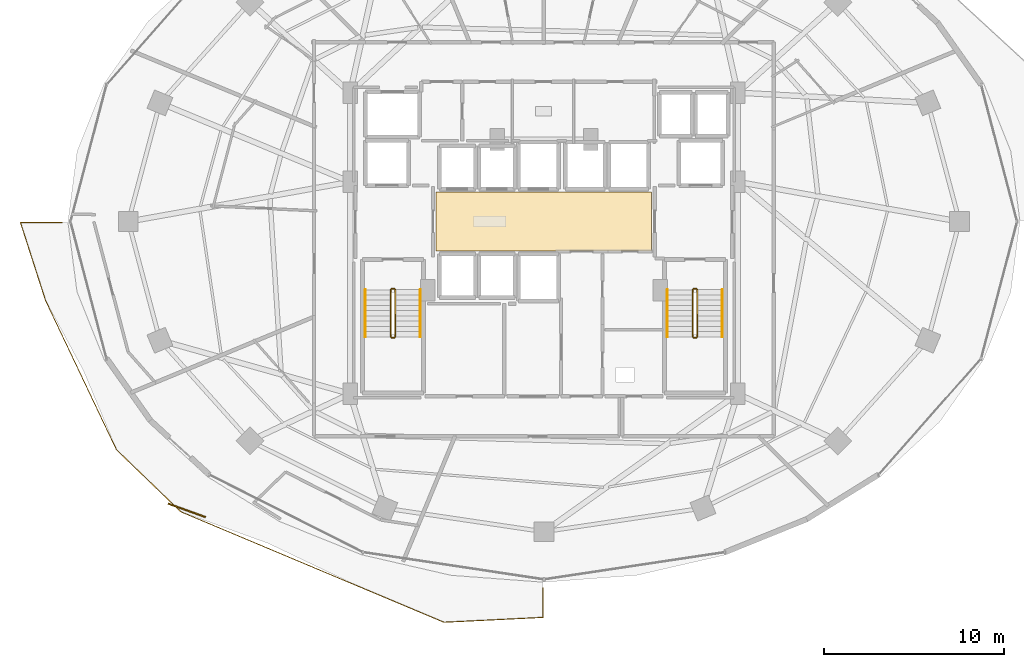
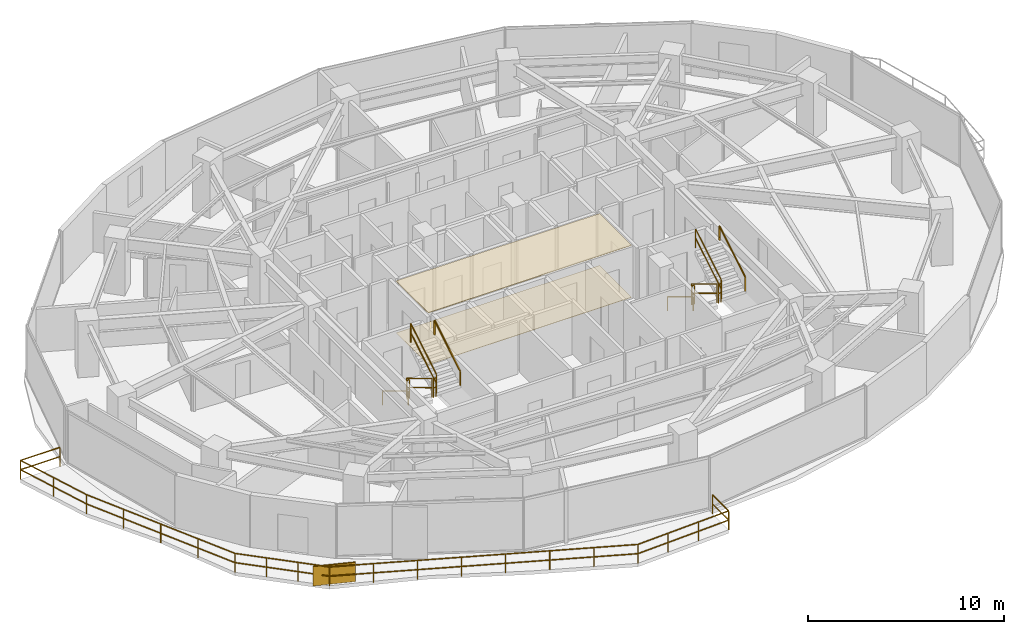
# One storey, part 28 of 30: 14 railings, 2 coverings, 1 shading device.
"""IFC4 building model written with IfcOpenShell, lengths in metres."""

from ifc_helpers import new_model, si_unit, direction, frame, origin, origin_2d, place, context, subcontext, project, spatial, polyline, rectangle, outline, extrude, material, layer, layer_set, type_object, element, save


model = new_model("IFC4")

# Units and contexts
model_context = context("Model", 3, precision=1e-05, world=origin(), true_north=direction((0.0, 1.0)))
body_context = subcontext(model_context, "Body", "Model", "MODEL_VIEW")
ifc_project = project(units=[si_unit("LENGTHUNIT", "METRE"), si_unit("AREAUNIT", "SQUARE_METRE"), si_unit("VOLUMEUNIT", "CUBIC_METRE"), si_unit("PLANEANGLEUNIT", "RADIAN"), si_unit("MASSUNIT", "GRAM", prefix="KILO")], contexts=[model_context])

# Site, building, storey
site_placement = place(None, origin())
site = spatial("IfcSite", under=ifc_project, at=site_placement, CompositionType="ELEMENT")
building_placement = place(site_placement, origin())
building = spatial("IfcBuilding", under=site, at=building_placement, Name="Vorneva Point Tower", CompositionType="ELEMENT")
storey_placement = place(building_placement, frame((0.0, 0.0, 106.800048828125)))
storey = spatial("IfcBuildingStorey", under=building, at=storey_placement, Name="L28", CompositionType="ELEMENT", Elevation=106.800048828125)

# Coverings
ifc_material_1 = material(Name="Perforated acoustic aluminium baffle ceiling", Category="aluminium")
ifc_layer_1 = layer(ifc_material_1, 0.030029296875)
ifc_layer_set_1 = layer_set([ifc_layer_1], Name="Perforated acoustic aluminium baffle ceiling")
covering_type_1 = type_object("IfcCoveringType", Name="COV-CEIL-BAF", PredefinedType="CEILING", material=ifc_layer_set_1)
covering_1_placement = place(storey_placement, frame((0.0, 0.0, 3.2099609375)))
element("IfcCovering", 1, at=covering_1_placement, inside=storey, type_object=covering_type_1, Name="L28 Lift Lobby Acoustic Baffle Ceiling", PredefinedType="CEILING", context=body_context, shape_type="SweptSolid", body=[
    extrude(outline(polyline([(32.02001953125, 24.3701171875), (43.97998046875, 24.3701171875), (43.97998046875, 27.6298828125), (32.02001953125, 27.6298828125), (32.02001953125, 24.3701171875)])), origin(), (0.0, 0.0, 1.0), 0.034912109375),
])
ifc_material_2 = material(Name="Acoustic wool hospitality carpet", Category="textile")
ifc_layer_2 = layer(ifc_material_2, 0.01806640625)
ifc_layer_set_2 = layer_set([ifc_layer_2], Name="Acoustic wool hospitality carpet")
covering_type_2 = type_object("IfcCoveringType", Name="COV-FLR-CRP", PredefinedType="FLOORING", material=ifc_layer_set_2)
covering_2_placement = place(storey_placement, frame((0.0, 0.0, -0.005126953125)))
element("IfcCovering", 2, at=covering_2_placement, inside=storey, type_object=covering_type_2, Name="L28 Lift Lobby Floor Finish", PredefinedType="FLOORING", context=body_context, shape_type="SweptSolid", body=[
    extrude(outline(polyline([(32.02001953125, 24.3701171875), (43.97998046875, 24.3701171875), (43.97998046875, 27.6298828125), (32.02001953125, 27.6298828125), (32.02001953125, 24.3701171875)])), origin(), (0.0, 0.0, 1.0), 0.023193359375),
])

# Railings
ifc_material_3 = material(Name="Pale anodised aluminium", Category="aluminium")
railing_type_1 = type_object("IfcRailingType", Name="RL-BAL-1200", PredefinedType="BALUSTRADE", material=ifc_material_3)
railing_1_placement = place(storey_placement, frame((37.949951171875, 4.047607421875, 0.0)))
element("IfcRailing", 3, at=railing_1_placement, inside=storey, type_object=railing_type_1, Name="L28 Wave Balcony Balustrade SW.1", PredefinedType="BALUSTRADE", context=body_context, shape_type="SweptSolid", body=[
    extrude(rectangle(XDim=0.048095703125, YDim=0.048095703125, at=origin_2d()), frame((0.0, 0.0, 1.17578125), z_axis=(0.0, 1.0, 0.0), x_axis=(-1.0, 0.0, 0.0)), (0.0, 0.0, 1.0), 1.63525390625),
    extrude(rectangle(XDim=0.048095703125, YDim=0.048095703125, at=origin_2d()), frame((0.0, 0.0, 0.60009765625), z_axis=(0.0, 1.0, 0.0), x_axis=(-1.0, 0.0, 0.0)), (0.0, 0.0, 1.0), 1.63525390625),
    extrude(rectangle(XDim=0.0419921875, YDim=0.0419921875, at=origin_2d()), origin(), (0.0, 0.0, 1.0), 1.15185546875),
    extrude(rectangle(XDim=0.0419921875, YDim=0.0419921875, at=origin_2d()), frame((0.0, 1.63525390625, 0.0)), (0.0, 0.0, 1.0), 1.15185546875),
])
railing_2_placement = place(storey_placement, frame((11.28369140625, 25.949951171875, 0.0)))
element("IfcRailing", 4, at=railing_2_placement, inside=storey, type_object=railing_type_1, Name="L28 Wave Balcony Balustrade SW.2", PredefinedType="BALUSTRADE", context=body_context, shape_type="SweptSolid", body=[
    extrude(rectangle(XDim=0.048095703125, YDim=0.048095703125, at=origin_2d()), frame((0.0, 0.0, 1.17578125), z_axis=(-1.0, 0.0, 0.0), x_axis=(0.0, -1.0, 0.0)), (0.0, 0.0, 1.0), 2.317626953125),
    extrude(rectangle(XDim=0.048095703125, YDim=0.048095703125, at=origin_2d()), frame((0.0, 0.0, 0.60009765625), z_axis=(-1.0, 0.0, 0.0), x_axis=(0.0, -1.0, 0.0)), (0.0, 0.0, 1.0), 2.317626953125),
    extrude(rectangle(XDim=0.048095703125, YDim=0.048095703125, at=origin_2d()), frame((-2.317626953125, 0.0, 1.17578125), z_axis=(0.306234224513, -0.951956196333, 0.0), x_axis=(0.951956196333, 0.306234224513, 0.0)), (0.0, 0.0, 1.0), 4.52978515625),
    extrude(rectangle(XDim=0.048095703125, YDim=0.048095703125, at=origin_2d()), frame((-2.317626953125, 0.0, 0.60009765625), z_axis=(0.306234224513, -0.951956196333, 0.0), x_axis=(0.951956196333, 0.306234224513, 0.0)), (0.0, 0.0, 1.0), 4.52978515625),
    extrude(rectangle(XDim=0.048095703125, YDim=0.048095703125, at=origin_2d()), frame((-0.930419921875, -4.312255859375, 1.17578125), z_axis=(0.429165789388, -0.903225733258, 0.0), x_axis=(0.903225733258, 0.429165789388, 0.0)), (0.0, 0.0, 1.0), 9.18505859375),
    extrude(rectangle(XDim=0.048095703125, YDim=0.048095703125, at=origin_2d()), frame((-0.930419921875, -4.312255859375, 0.60009765625), z_axis=(0.429165789388, -0.903225733258, 0.0), x_axis=(0.903225733258, 0.429165789388, 0.0)), (0.0, 0.0, 1.0), 9.18505859375),
    extrude(rectangle(XDim=0.048095703125, YDim=0.048095703125, at=origin_2d()), frame((3.011474609375, -12.6083984375, 1.17578125), z_axis=(0.719945589265, -0.694030509775, 0.0), x_axis=(0.694030509775, 0.719945589265, 0.0)), (0.0, 0.0, 1.0), 4.94580078125),
    extrude(rectangle(XDim=0.048095703125, YDim=0.048095703125, at=origin_2d()), frame((3.011474609375, -12.6083984375, 0.60009765625), z_axis=(0.719945589265, -0.694030509775, 0.0), x_axis=(0.694030509775, 0.719945589265, 0.0)), (0.0, 0.0, 1.0), 4.94580078125),
    extrude(rectangle(XDim=0.048095703125, YDim=0.048095703125, at=origin_2d()), frame((6.572265625, -16.041015625, 1.17578125), z_axis=(0.921993663764, -0.387204963784, 0.0), x_axis=(0.387204963784, 0.921993663764, 0.0)), (0.0, 0.0, 1.0), 15.836181640625),
    extrude(rectangle(XDim=0.048095703125, YDim=0.048095703125, at=origin_2d()), frame((6.572265625, -16.041015625, 0.60009765625), z_axis=(0.921993663764, -0.387204963784, 0.0), x_axis=(0.387204963784, 0.921993663764, 0.0)), (0.0, 0.0, 1.0), 15.836181640625),
    extrude(rectangle(XDim=0.048095703125, YDim=0.048095703125, at=origin_2d()), frame((21.173095703125, -22.1728515625, 1.17578125), z_axis=(0.998789693161, 0.049184843557, 0.0), x_axis=(-0.049184843557, 0.998789693161, 0.0)), (0.0, 0.0, 1.0), 5.499755859375),
    extrude(rectangle(XDim=0.048095703125, YDim=0.048095703125, at=origin_2d()), frame((21.173095703125, -22.1728515625, 0.60009765625), z_axis=(0.998789693161, 0.049184843557, 0.0), x_axis=(-0.049184843557, 0.998789693161, 0.0)), (0.0, 0.0, 1.0), 5.499755859375),
    extrude(rectangle(XDim=0.0419921875, YDim=0.0419921875, at=origin_2d()), origin(), (0.0, 0.0, 1.0), 1.15185546875),
    extrude(rectangle(XDim=0.0419921875, YDim=0.0419921875, at=origin_2d()), frame((-2.317626953125, 0.0, 0.0)), (0.0, 0.0, 1.0), 1.15185546875),
    extrude(rectangle(XDim=0.0419921875, YDim=0.0419921875, at=origin_2d()), frame((-1.6240234375, -2.15625, 0.0)), (0.0, 0.0, 1.0), 1.15185546875),
    extrude(rectangle(XDim=0.0419921875, YDim=0.0419921875, at=origin_2d()), frame((-0.930419921875, -4.312255859375, 0.0)), (0.0, 0.0, 1.0), 1.15185546875),
    extrude(rectangle(XDim=0.0419921875, YDim=0.0419921875, at=origin_2d()), frame((0.05517578125, -6.38623046875, 0.0)), (0.0, 0.0, 1.0), 1.15185546875),
    extrude(rectangle(XDim=0.0419921875, YDim=0.0419921875, at=origin_2d()), frame((1.04052734375, -8.46044921875, 0.0)), (0.0, 0.0, 1.0), 1.15185546875),
    extrude(rectangle(XDim=0.0419921875, YDim=0.0419921875, at=origin_2d()), frame((2.02587890625, -10.534423828125, 0.0)), (0.0, 0.0, 1.0), 1.15185546875),
    extrude(rectangle(XDim=0.0419921875, YDim=0.0419921875, at=origin_2d()), frame((3.011474609375, -12.6083984375, 0.0)), (0.0, 0.0, 1.0), 1.15185546875),
    extrude(rectangle(XDim=0.0419921875, YDim=0.0419921875, at=origin_2d()), frame((4.198486328125, -13.752685546875, 0.0)), (0.0, 0.0, 1.0), 1.15185546875),
    extrude(rectangle(XDim=0.0419921875, YDim=0.0419921875, at=origin_2d()), frame((5.38525390625, -14.896728515625, 0.0)), (0.0, 0.0, 1.0), 1.15185546875),
    extrude(rectangle(XDim=0.0419921875, YDim=0.0419921875, at=origin_2d()), frame((6.572265625, -16.041015625, 0.0)), (0.0, 0.0, 1.0), 1.15185546875),
    extrude(rectangle(XDim=0.0419921875, YDim=0.0419921875, at=origin_2d()), frame((8.658203125, -16.9169921875, 0.0)), (0.0, 0.0, 1.0), 1.15185546875),
    extrude(rectangle(XDim=0.0419921875, YDim=0.0419921875, at=origin_2d()), frame((10.743896484375, -17.79296875, 0.0)), (0.0, 0.0, 1.0), 1.15185546875),
    extrude(rectangle(XDim=0.0419921875, YDim=0.0419921875, at=origin_2d()), frame((12.829833984375, -18.6689453125, 0.0)), (0.0, 0.0, 1.0), 1.15185546875),
    extrude(rectangle(XDim=0.0419921875, YDim=0.0419921875, at=origin_2d()), frame((14.91552734375, -19.544921875, 0.0)), (0.0, 0.0, 1.0), 1.15185546875),
    extrude(rectangle(XDim=0.0419921875, YDim=0.0419921875, at=origin_2d()), frame((17.00146484375, -20.4208984375, 0.0)), (0.0, 0.0, 1.0), 1.15185546875),
    extrude(rectangle(XDim=0.0419921875, YDim=0.0419921875, at=origin_2d()), frame((19.087158203125, -21.296875, 0.0)), (0.0, 0.0, 1.0), 1.15185546875),
    extrude(rectangle(XDim=0.0419921875, YDim=0.0419921875, at=origin_2d()), frame((21.173095703125, -22.1728515625, 0.0)), (0.0, 0.0, 1.0), 1.15185546875),
    extrude(rectangle(XDim=0.0419921875, YDim=0.0419921875, at=origin_2d()), frame((23.004150390625, -22.082763671875, 0.0)), (0.0, 0.0, 1.0), 1.15185546875),
    extrude(rectangle(XDim=0.0419921875, YDim=0.0419921875, at=origin_2d()), frame((24.835205078125, -21.992431640625, 0.0)), (0.0, 0.0, 1.0), 1.15185546875),
    extrude(rectangle(XDim=0.0419921875, YDim=0.0419921875, at=origin_2d()), frame((26.666259765625, -21.90234375, 0.0)), (0.0, 0.0, 1.0), 1.15185546875),
])
ifc_material_4 = material(Name="Brushed stainless steel S304", Category="steel")
railing_type_2 = type_object("IfcRailingType", Name="RL-HND-920", PredefinedType="HANDRAIL", material=ifc_material_4)
railing_3_placement = place(storey_placement, frame((28.10009765625, 22.219970703125, 0.175048828125)))
element("IfcRailing", 5, at=railing_3_placement, inside=storey, type_object=railing_type_2, Name="L28 ST1 stair handrail 1", PredefinedType="HANDRAIL", context=body_context, shape_type="SweptSolid", body=[
    extrude(rectangle(XDim=0.048095703125, YDim=0.048095703125, at=origin_2d()), frame((0.0, 0.0, 0.8759765625), z_axis=(0.0, -0.85618277418, 0.516673066065), x_axis=(1.0, 0.0, 0.0)), (0.0, 0.0, 1.0), 3.04833984375),
    extrude(rectangle(XDim=0.0419921875, YDim=0.0419921875, at=origin_2d()), origin(), (0.0, 0.0, 1.0), 0.851806640625),
    extrude(rectangle(XDim=0.0419921875, YDim=0.0419921875, at=origin_2d()), frame((0.0, -2.60986328125, 1.574951171875)), (0.0, 0.0, 1.0), 0.851806640625),
])
railing_4_placement = place(storey_placement, frame((31.14990234375, 19.610107421875, 1.925048828125)))
element("IfcRailing", 6, at=railing_4_placement, inside=storey, type_object=railing_type_2, Name="L28 ST1 stair handrail 2", PredefinedType="HANDRAIL", context=body_context, shape_type="SweptSolid", body=[
    extrude(rectangle(XDim=0.048095703125, YDim=0.048095703125, at=origin_2d()), frame((0.0, 0.0, 0.8759765625), z_axis=(0.0, 0.85618277418, 0.516673066065), x_axis=(-1.0, 0.0, 0.0)), (0.0, 0.0, 1.0), 3.04833984375),
    extrude(rectangle(XDim=0.0419921875, YDim=0.0419921875, at=origin_2d()), origin(), (0.0, 0.0, 1.0), 0.851806640625),
    extrude(rectangle(XDim=0.0419921875, YDim=0.0419921875, at=origin_2d()), frame((0.0, 2.60986328125, 1.574951171875)), (0.0, 0.0, 1.0), 0.851806640625),
])
railing_5_placement = place(storey_placement, frame((44.85009765625, 22.219970703125, 0.175048828125)))
element("IfcRailing", 7, at=railing_5_placement, inside=storey, type_object=railing_type_2, Name="L28 ST2 stair handrail 1", PredefinedType="HANDRAIL", context=body_context, shape_type="SweptSolid", body=[
    extrude(rectangle(XDim=0.048095703125, YDim=0.048095703125, at=origin_2d()), frame((0.0, 0.0, 0.8759765625), z_axis=(0.0, -0.85618277418, 0.516673066065), x_axis=(1.0, 0.0, 0.0)), (0.0, 0.0, 1.0), 3.04833984375),
    extrude(rectangle(XDim=0.0419921875, YDim=0.0419921875, at=origin_2d()), origin(), (0.0, 0.0, 1.0), 0.851806640625),
    extrude(rectangle(XDim=0.0419921875, YDim=0.0419921875, at=origin_2d()), frame((0.0, -2.60986328125, 1.574951171875)), (0.0, 0.0, 1.0), 0.851806640625),
])
railing_6_placement = place(storey_placement, frame((47.89990234375, 19.610107421875, 1.925048828125)))
element("IfcRailing", 8, at=railing_6_placement, inside=storey, type_object=railing_type_2, Name="L28 ST2 stair handrail 2", PredefinedType="HANDRAIL", context=body_context, shape_type="SweptSolid", body=[
    extrude(rectangle(XDim=0.048095703125, YDim=0.048095703125, at=origin_2d()), frame((0.0, 0.0, 0.8759765625), z_axis=(0.0, 0.85618277418, 0.516673066065), x_axis=(-1.0, 0.0, 0.0)), (0.0, 0.0, 1.0), 3.04833984375),
    extrude(rectangle(XDim=0.0419921875, YDim=0.0419921875, at=origin_2d()), origin(), (0.0, 0.0, 1.0), 0.851806640625),
    extrude(rectangle(XDim=0.0419921875, YDim=0.0419921875, at=origin_2d()), frame((0.0, 2.60986328125, 1.574951171875)), (0.0, 0.0, 1.0), 0.851806640625),
])
railing_type_3 = type_object("IfcRailingType", Name="RL-STG-1100", PredefinedType="GUARDRAIL", material=ifc_material_4)
railing_7_placement = place(storey_placement, frame((29.5, 22.219970703125, 0.175048828125)))
element("IfcRailing", 9, at=railing_7_placement, inside=storey, type_object=railing_type_3, Name="L28 ST1 stair guard 1", PredefinedType="GUARDRAIL", context=body_context, shape_type="SweptSolid", body=[
    extrude(rectangle(XDim=0.048095703125, YDim=0.048095703125, at=origin_2d()), frame((0.0, 0.0, 1.17578125), z_axis=(0.0, -0.85618277418, 0.516673066065), x_axis=(1.0, 0.0, 0.0)), (0.0, 0.0, 1.0), 3.04833984375),
    extrude(rectangle(XDim=0.048095703125, YDim=0.048095703125, at=origin_2d()), frame((0.0, 0.0, 0.60009765625), z_axis=(0.0, -0.85618277418, 0.516673066065), x_axis=(1.0, 0.0, 0.0)), (0.0, 0.0, 1.0), 3.04833984375),
    extrude(rectangle(XDim=0.0419921875, YDim=0.0419921875, at=origin_2d()), origin(), (0.0, 0.0, 1.0), 1.15185546875),
    extrude(rectangle(XDim=0.0419921875, YDim=0.0419921875, at=origin_2d()), frame((0.0, -2.60986328125, 1.574951171875)), (0.0, 0.0, 1.0), 1.15185546875),
])
railing_8_placement = place(storey_placement, frame((29.550048828125, 19.56005859375, 1.75)))
element("IfcRailing", 10, at=railing_8_placement, inside=storey, type_object=railing_type_3, Name="L28 ST1 stair guard 2", PredefinedType="GUARDRAIL", context=body_context, shape_type="SweptSolid", body=[
    extrude(rectangle(XDim=0.048095703125, YDim=0.048095703125, at=origin_2d()), frame((0.0, 0.0, 1.17578125), z_axis=(1.0, 0.0, 0.0), x_axis=(0.0, 1.0, 0.0)), (0.0, 0.0, 1.0), 0.14990234375),
    extrude(rectangle(XDim=0.048095703125, YDim=0.048095703125, at=origin_2d()), frame((0.0, 0.0, 0.60009765625), z_axis=(1.0, 0.0, 0.0), x_axis=(0.0, 1.0, 0.0)), (0.0, 0.0, 1.0), 0.14990234375),
    extrude(rectangle(XDim=0.0419921875, YDim=0.0419921875, at=origin_2d()), origin(), (0.0, 0.0, 1.0), 1.15185546875),
    extrude(rectangle(XDim=0.0419921875, YDim=0.0419921875, at=origin_2d()), frame((0.14990234375, 0.0, 0.0)), (0.0, 0.0, 1.0), 1.15185546875),
])
railing_9_placement = place(storey_placement, frame((29.75, 19.610107421875, 1.925048828125)))
element("IfcRailing", 11, at=railing_9_placement, inside=storey, type_object=railing_type_3, Name="L28 ST1 stair guard 3", PredefinedType="GUARDRAIL", context=body_context, shape_type="SweptSolid", body=[
    extrude(rectangle(XDim=0.048095703125, YDim=0.048095703125, at=origin_2d()), frame((0.0, 0.0, 1.17578125), z_axis=(0.0, 0.85618277418, 0.516673066065), x_axis=(-1.0, 0.0, 0.0)), (0.0, 0.0, 1.0), 3.04833984375),
    extrude(rectangle(XDim=0.048095703125, YDim=0.048095703125, at=origin_2d()), frame((0.0, 0.0, 0.60009765625), z_axis=(0.0, 0.85618277418, 0.516673066065), x_axis=(-1.0, 0.0, 0.0)), (0.0, 0.0, 1.0), 3.04833984375),
    extrude(rectangle(XDim=0.0419921875, YDim=0.0419921875, at=origin_2d()), origin(), (0.0, 0.0, 1.0), 1.15185546875),
    extrude(rectangle(XDim=0.0419921875, YDim=0.0419921875, at=origin_2d()), frame((0.0, 2.60986328125, 1.574951171875)), (0.0, 0.0, 1.0), 1.15185546875),
])
railing_10_placement = place(storey_placement, frame((29.550048828125, 22.27001953125, 0.0)))
element("IfcRailing", 12, at=railing_10_placement, inside=storey, type_object=railing_type_3, Name="L28 ST1 stair guard 4", PredefinedType="GUARDRAIL", context=body_context, shape_type="SweptSolid", body=[
    extrude(rectangle(XDim=0.048095703125, YDim=0.048095703125, at=origin_2d()), frame((0.0, 0.0, 1.17578125), z_axis=(1.0, 0.0, 0.0), x_axis=(0.0, 1.0, 0.0)), (0.0, 0.0, 1.0), 0.14990234375),
    extrude(rectangle(XDim=0.048095703125, YDim=0.048095703125, at=origin_2d()), frame((0.0, 0.0, 0.60009765625), z_axis=(1.0, 0.0, 0.0), x_axis=(0.0, 1.0, 0.0)), (0.0, 0.0, 1.0), 0.14990234375),
    extrude(rectangle(XDim=0.0419921875, YDim=0.0419921875, at=origin_2d()), origin(), (0.0, 0.0, 1.0), 1.15185546875),
    extrude(rectangle(XDim=0.0419921875, YDim=0.0419921875, at=origin_2d()), frame((0.14990234375, 0.0, 0.0)), (0.0, 0.0, 1.0), 1.15185546875),
])
railing_11_placement = place(storey_placement, frame((46.25, 22.219970703125, 0.175048828125)))
element("IfcRailing", 13, at=railing_11_placement, inside=storey, type_object=railing_type_3, Name="L28 ST2 stair guard 1", PredefinedType="GUARDRAIL", context=body_context, shape_type="SweptSolid", body=[
    extrude(rectangle(XDim=0.048095703125, YDim=0.048095703125, at=origin_2d()), frame((0.0, 0.0, 1.17578125), z_axis=(0.0, -0.85618277418, 0.516673066065), x_axis=(1.0, 0.0, 0.0)), (0.0, 0.0, 1.0), 3.04833984375),
    extrude(rectangle(XDim=0.048095703125, YDim=0.048095703125, at=origin_2d()), frame((0.0, 0.0, 0.60009765625), z_axis=(0.0, -0.85618277418, 0.516673066065), x_axis=(1.0, 0.0, 0.0)), (0.0, 0.0, 1.0), 3.04833984375),
    extrude(rectangle(XDim=0.0419921875, YDim=0.0419921875, at=origin_2d()), origin(), (0.0, 0.0, 1.0), 1.15185546875),
    extrude(rectangle(XDim=0.0419921875, YDim=0.0419921875, at=origin_2d()), frame((0.0, -2.60986328125, 1.574951171875)), (0.0, 0.0, 1.0), 1.15185546875),
])
railing_12_placement = place(storey_placement, frame((46.300048828125, 19.56005859375, 1.75)))
element("IfcRailing", 14, at=railing_12_placement, inside=storey, type_object=railing_type_3, Name="L28 ST2 stair guard 2", PredefinedType="GUARDRAIL", context=body_context, shape_type="SweptSolid", body=[
    extrude(rectangle(XDim=0.048095703125, YDim=0.048095703125, at=origin_2d()), frame((0.0, 0.0, 1.17578125), z_axis=(1.0, 0.0, 0.0), x_axis=(0.0, 1.0, 0.0)), (0.0, 0.0, 1.0), 0.14990234375),
    extrude(rectangle(XDim=0.048095703125, YDim=0.048095703125, at=origin_2d()), frame((0.0, 0.0, 0.60009765625), z_axis=(1.0, 0.0, 0.0), x_axis=(0.0, 1.0, 0.0)), (0.0, 0.0, 1.0), 0.14990234375),
    extrude(rectangle(XDim=0.0419921875, YDim=0.0419921875, at=origin_2d()), origin(), (0.0, 0.0, 1.0), 1.15185546875),
    extrude(rectangle(XDim=0.0419921875, YDim=0.0419921875, at=origin_2d()), frame((0.14990234375, 0.0, 0.0)), (0.0, 0.0, 1.0), 1.15185546875),
])
railing_13_placement = place(storey_placement, frame((46.5, 19.610107421875, 1.925048828125)))
element("IfcRailing", 15, at=railing_13_placement, inside=storey, type_object=railing_type_3, Name="L28 ST2 stair guard 3", PredefinedType="GUARDRAIL", context=body_context, shape_type="SweptSolid", body=[
    extrude(rectangle(XDim=0.048095703125, YDim=0.048095703125, at=origin_2d()), frame((0.0, 0.0, 1.17578125), z_axis=(0.0, 0.85618277418, 0.516673066065), x_axis=(-1.0, 0.0, 0.0)), (0.0, 0.0, 1.0), 3.04833984375),
    extrude(rectangle(XDim=0.048095703125, YDim=0.048095703125, at=origin_2d()), frame((0.0, 0.0, 0.60009765625), z_axis=(0.0, 0.85618277418, 0.516673066065), x_axis=(-1.0, 0.0, 0.0)), (0.0, 0.0, 1.0), 3.04833984375),
    extrude(rectangle(XDim=0.0419921875, YDim=0.0419921875, at=origin_2d()), origin(), (0.0, 0.0, 1.0), 1.15185546875),
    extrude(rectangle(XDim=0.0419921875, YDim=0.0419921875, at=origin_2d()), frame((0.0, 2.60986328125, 1.574951171875)), (0.0, 0.0, 1.0), 1.15185546875),
])
railing_14_placement = place(storey_placement, frame((46.300048828125, 22.27001953125, 0.0)))
element("IfcRailing", 16, at=railing_14_placement, inside=storey, type_object=railing_type_3, Name="L28 ST2 stair guard 4", PredefinedType="GUARDRAIL", context=body_context, shape_type="SweptSolid", body=[
    extrude(rectangle(XDim=0.048095703125, YDim=0.048095703125, at=origin_2d()), frame((0.0, 0.0, 1.17578125), z_axis=(1.0, 0.0, 0.0), x_axis=(0.0, 1.0, 0.0)), (0.0, 0.0, 1.0), 0.14990234375),
    extrude(rectangle(XDim=0.048095703125, YDim=0.048095703125, at=origin_2d()), frame((0.0, 0.0, 0.60009765625), z_axis=(1.0, 0.0, 0.0), x_axis=(0.0, 1.0, 0.0)), (0.0, 0.0, 1.0), 0.14990234375),
    extrude(rectangle(XDim=0.0419921875, YDim=0.0419921875, at=origin_2d()), origin(), (0.0, 0.0, 1.0), 1.15185546875),
    extrude(rectangle(XDim=0.0419921875, YDim=0.0419921875, at=origin_2d()), frame((0.14990234375, 0.0, 0.0)), (0.0, 0.0, 1.0), 1.15185546875),
])

# Shading device
shading_device_type = type_object("IfcShadingDeviceType", Name="SHD-JAL-1200", PredefinedType="JALOUSIE", material=ifc_material_3)
shading_device_placement = place(storey_placement, frame((18.195556640625, 9.986328125, -0.02001953125), z_axis=(0.0, 0.0, 1.0), x_axis=(0.940294067611, -0.340363139037, 0.0)))
element("IfcShadingDevice", 17, at=shading_device_placement, inside=storey, type_object=shading_device_type, Name="L28 Balcony Vertical-Greenery Planter Screen SW.2", PredefinedType="JALOUSIE", context=body_context, shape_type="SweptSolid", body=[
    extrude(rectangle(XDim=2.199951171875, YDim=0.080078125, at=origin_2d()), origin(), (0.0, 0.0, 1.0), 1.199951171875),
])

save(model, "model.ifc")
